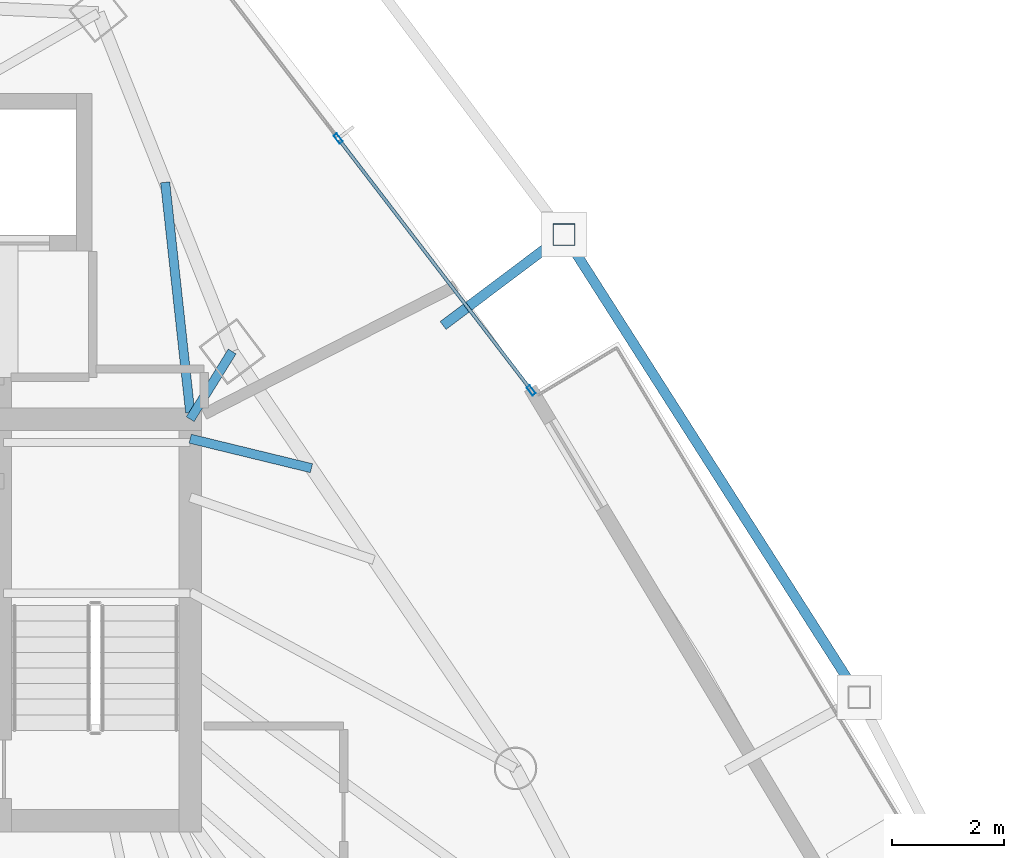
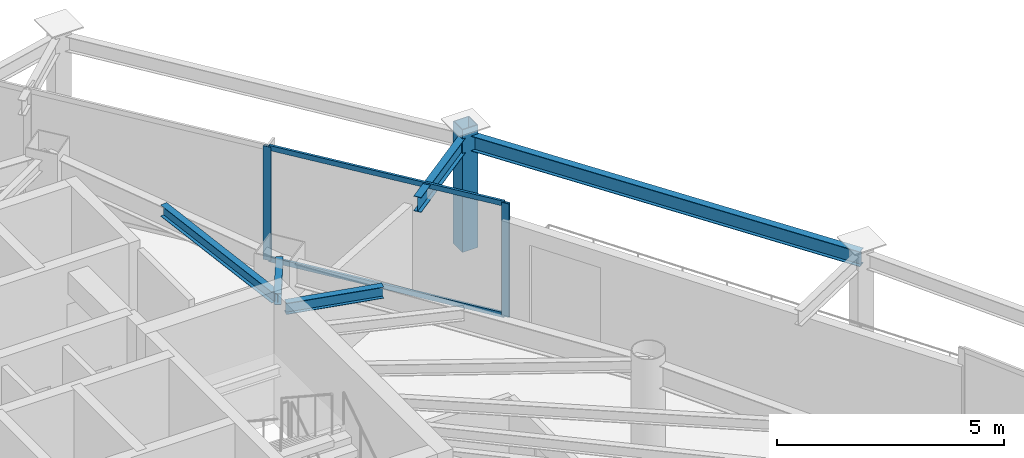
# One storey, part 24 of 31: 5 beams, 5 members, 1 element without a shape of its own.
"""IFC4 building model written with IfcOpenShell, lengths in metres."""

from ifc_helpers import new_model, si_unit, direction, frame, origin, origin_2d, place, context, subcontext, project, spatial, hollow_rectangle, i_section, extrude, material, layer, layer_set, material_profile, profile_set, type_object, element, aggregate, save


model = new_model("IFC4")

# Units and contexts
model_context = context("Model", 3, precision=1e-05, world=origin(), true_north=direction((0.0, 1.0)))
body_context = subcontext(model_context, "Body", "Model", "MODEL_VIEW")
ifc_project = project(units=[si_unit("LENGTHUNIT", "METRE"), si_unit("AREAUNIT", "SQUARE_METRE"), si_unit("VOLUMEUNIT", "CUBIC_METRE"), si_unit("PLANEANGLEUNIT", "RADIAN"), si_unit("MASSUNIT", "GRAM", prefix="KILO")], contexts=[model_context])

# Site, building, storey
site_placement = place(None, origin())
site = spatial("IfcSite", under=ifc_project, at=site_placement, CompositionType="ELEMENT")
building_placement = place(site_placement, origin())
building = spatial("IfcBuilding", under=site, at=building_placement, Name="Orvanel Arch Residences", CompositionType="ELEMENT")
storey_placement = place(building_placement, frame((0.0, 0.0, 133.10009765625)))
storey = spatial("IfcBuildingStorey", under=building, at=storey_placement, Name="L37", CompositionType="ELEMENT", Elevation=133.10009765625)

# Beams
ifc_material_1 = material(Name="Structural steel AS/NZS 3679.1 Grade 300 (300 MPa)", Category="steel")
ifc_material_profile_1 = material_profile(ifc_material_1, i_section(OverallWidth=0.1650390625, OverallDepth=0.303955078125, WebThickness=0.006103515625, FlangeThickness=0.01025390625, at=origin_2d()), Name="310UB40.4")
ifc_profile_set_1 = profile_set([ifc_material_profile_1], Name="Structural steel AS/NZS 3679.1 Grade 300 (300 MPa)")
beam_type_1 = type_object("IfcBeamType", Name="BJ-310UB", PredefinedType="JOIST", material=ifc_profile_set_1)
beam_1_placement = place(storey_placement, frame((39.60009765625, 33.89990234375, 2.907958984375), z_axis=(0.526843290616, 0.84996243866, 0.0), x_axis=(-0.84996243866, 0.526843290616, 0.0)))
element("IfcBeam", 1, at=beam_1_placement, inside=storey, type_object=beam_type_1, Name="L37 NNE Wing Floor Joist", PredefinedType="JOIST", context=body_context, shape_type="SweptSolid", body=[
    extrude(i_section(OverallWidth=0.1650390625, OverallDepth=0.303955078125, WebThickness=0.006103515625, FlangeThickness=0.01025390625, at=origin_2d()), origin(), (0.0, 0.0, 1.0), 1.42724609375),
])
beam_2_placement = place(storey_placement, frame((39.60009765625, 34.02001953125, 2.907958984375), z_axis=(-0.108261441852, 0.99412245735, 0.0), x_axis=(-0.99412245735, -0.108261441852, 0.0)))
element("IfcBeam", 2, at=beam_2_placement, inside=storey, type_object=beam_type_1, Name="L37 NNE2 Wing Floor Joist", PredefinedType="JOIST", context=body_context, shape_type="SweptSolid", body=[
    extrude(i_section(OverallWidth=0.1650390625, OverallDepth=0.303955078125, WebThickness=0.006103515625, FlangeThickness=0.01025390625, at=origin_2d()), origin(), (0.0, 0.0, 1.0), 4.1494140625),
])
beam_3_placement = place(storey_placement, frame((39.60009765625, 33.550048828125, 2.907958984375), z_axis=(0.971638471014, -0.236471312521, 0.0), x_axis=(0.236471312521, 0.971638471014, 0.0)))
element("IfcBeam", 3, at=beam_3_placement, inside=storey, type_object=beam_type_1, Name="L37 JADD4 Wing Floor Joist", PredefinedType="JOIST", context=body_context, shape_type="SweptSolid", body=[
    extrude(i_section(OverallWidth=0.1650390625, OverallDepth=0.303955078125, WebThickness=0.006103515625, FlangeThickness=0.01025390625, at=origin_2d()), origin(), (0.0, 0.0, 1.0), 2.2373046875),
])

# Curtain wall, members
ifc_material_2 = material(Name="Bronze-anodised aluminium AA6063-T6", Category="aluminium")
ifc_layer = layer(ifc_material_2, 0.179931640625)
ifc_layer_set = layer_set([ifc_layer], Name="Bronze-anodised aluminium AA6063-T6")
curtain_wall_type = type_object("IfcCurtainWallType", Name="CW3-MID-SYS", PredefinedType="NOTDEFINED", material=ifc_layer_set)
curtain_wall_placement = place(storey_placement, origin())
curtain_wall = element("IfcCurtainWall", 4, at=curtain_wall_placement, inside=storey, type_object=curtain_wall_type, Name="L37 CW3-MID-SYS Unitised Curtain Wall", PredefinedType="NOTDEFINED")
ifc_material_profile_2 = material_profile(ifc_material_2, hollow_rectangle(XDim=0.070068359375, YDim=0.179931640625, WallThickness=0.00439453125, at=origin_2d()), Name="ALU180x70x4.5")
ifc_profile_set_2 = profile_set([ifc_material_profile_2], Name="Bronze-anodised aluminium AA6063-T6")
member_type_1 = type_object("IfcMemberType", Name="MUL-180x70", PredefinedType="MULLION", material=ifc_profile_set_2)
member_1_placement = place(storey_placement, frame((45.712646484375, 34.416748046875, 0.0), z_axis=(0.0, 0.0, 1.0), x_axis=(-0.793686048697, -0.608327589465, 0.0)))
member_1 = element("IfcMember", 5, at=member_1_placement, type_object=member_type_1, Name="CW-S3 mullion 1", PredefinedType="MULLION", context=body_context, shape_type="SweptSolid", body=[
    extrude(hollow_rectangle(XDim=0.070068359375, YDim=0.179931640625, WallThickness=0.00439453125, at=origin_2d()), origin(), (0.0, 0.0, 1.0), 3.059814453125),
])
member_2_placement = place(storey_placement, frame((42.2529296875, 38.9306640625, 0.0), z_axis=(0.0, 0.0, 1.0), x_axis=(-0.793686048697, -0.608327589465, 0.0)))
member_2 = element("IfcMember", 6, at=member_2_placement, type_object=member_type_1, Name="CW-S3 mullion 2", PredefinedType="MULLION", context=body_context, shape_type="SweptSolid", body=[
    extrude(hollow_rectangle(XDim=0.070068359375, YDim=0.179931640625, WallThickness=0.00439453125, at=origin_2d()), origin(), (0.0, 0.0, 1.0), 3.059814453125),
])

# Beams
ifc_material_profile_3 = material_profile(ifc_material_1, i_section(OverallWidth=0.177978515625, OverallDepth=0.406005859375, WebThickness=0.0078125, FlangeThickness=0.0126953125, at=origin_2d()), Name="410UB59.7")
ifc_profile_set_3 = profile_set([ifc_material_profile_3], Name="Structural steel AS/NZS 3679.1 Grade 300 (300 MPa)")
beam_type_2 = type_object("IfcBeamType", Name="OB-410UB-EXT", PredefinedType="SPANDREL", material=ifc_profile_set_3)
beam_4_placement = place(storey_placement, frame((51.592041015625, 28.9140625, 2.85693359375), z_axis=(-0.537844884876, 0.843043818442, 0.0), x_axis=(-0.843043818442, -0.537844884876, 0.0)))
element("IfcBeam", 7, at=beam_4_placement, inside=storey, type_object=beam_type_2, Name="L37 Outer Perimeter Floor Ring Beam 10", PredefinedType="SPANDREL", context=body_context, shape_type="SweptSolid", body=[
    extrude(i_section(OverallWidth=0.177978515625, OverallDepth=0.406005859375, WebThickness=0.0078125, FlangeThickness=0.0126953125, at=origin_2d()), origin(), (0.0, 0.0, 1.0), 9.83935546875),
])
beam_5_placement = place(storey_placement, frame((44.133056640625, 35.5791015625, 2.85693359375), z_axis=(0.799178103398, 0.601094301294, 0.0), x_axis=(-0.601094301294, 0.799178103398, 0.0)))
element("IfcBeam", 8, at=beam_5_placement, inside=storey, type_object=beam_type_2, Name="L37 Outer Frame Radial Tie Beam 11", PredefinedType="SPANDREL", context=body_context, shape_type="SweptSolid", body=[
    extrude(i_section(OverallWidth=0.177978515625, OverallDepth=0.406005859375, WebThickness=0.0078125, FlangeThickness=0.0126953125, at=origin_2d()), origin(), (0.0, 0.0, 1.0), 2.71142578125),
])

# Member
ifc_material_3 = material(Name="Structural steel AS/NZS 1163 C450L0 (Grade 450)", Category="steel")
ifc_material_profile_4 = material_profile(ifc_material_3, hollow_rectangle(XDim=0.39990234375, YDim=0.39990234375, WallThickness=0.01611328125, at=origin_2d()), Name="SHS400x400x16")
ifc_profile_set_4 = profile_set([ifc_material_profile_4], Name="Structural steel AS/NZS 1163 C450L0 (Grade 450)")
member_type_2 = type_object("IfcMemberType", Name="ST-400SHS-EXT", PredefinedType="STRUT", material=ifc_profile_set_4)
member_3_placement = place(storey_placement, frame((46.300048828125, 37.208984375, 0.0), z_axis=(0.0, 0.0, 1.0), x_axis=(1.0, 0.0, 0.0)))
element("IfcMember", 9, at=member_3_placement, inside=storey, type_object=member_type_2, Name="L37 Outer Perimeter Frame Post 11", PredefinedType="STRUT", context=body_context, shape_type="SweptSolid", body=[
    extrude(hollow_rectangle(XDim=0.39990234375, YDim=0.39990234375, WallThickness=0.01611328125, at=origin_2d()), origin(), (0.0, 0.0, 1.0), 3.2998046875),
])

ifc_material_profile_5 = material_profile(ifc_material_2, hollow_rectangle(XDim=0.06005859375, YDim=0.135009765625, WallThickness=0.00390625, at=origin_2d()), Name="ALU135x60x4")
ifc_profile_set_5 = profile_set([ifc_material_profile_5], Name="Bronze-anodised aluminium AA6063-T6")
member_type_3 = type_object("IfcMemberType", Name="TRN-135x60", PredefinedType="USERDEFINED", material=ifc_profile_set_5)
member_4_placement = place(storey_placement, frame((45.69140625, 34.444580078125, 0.02978515625), z_axis=(-0.608346683085, 0.793671413861, 0.0), x_axis=(-0.793671413861, -0.608346683085, 0.0)))
member_4 = element("IfcMember", 10, at=member_4_placement, type_object=member_type_3, Name="CW-S3 transom 1.1", ObjectType="TRANSOM", PredefinedType="USERDEFINED", context=body_context, shape_type="SweptSolid", body=[
    extrude(hollow_rectangle(XDim=0.06005859375, YDim=0.135009765625, WallThickness=0.00390625, at=origin_2d()), origin(), (0.0, 0.0, 1.0), 5.6171875),
])

member_5_placement = place(storey_placement, frame((45.69140625, 34.444580078125, 3.02978515625), z_axis=(-0.608346683085, 0.793671413861, 0.0), x_axis=(-0.793671413861, -0.608346683085, 0.0)))
member_5 = element("IfcMember", 11, at=member_5_placement, type_object=member_type_3, Name="CW-S3 transom 1.2", ObjectType="TRANSOM", PredefinedType="USERDEFINED", context=body_context, shape_type="SweptSolid", body=[
    extrude(hollow_rectangle(XDim=0.06005859375, YDim=0.135009765625, WallThickness=0.00390625, at=origin_2d()), origin(), (0.0, 0.0, 1.0), 5.6171875),
])

aggregate(curtain_wall, [member_1, member_2, member_4, member_5])

save(model, "model.ifc")
